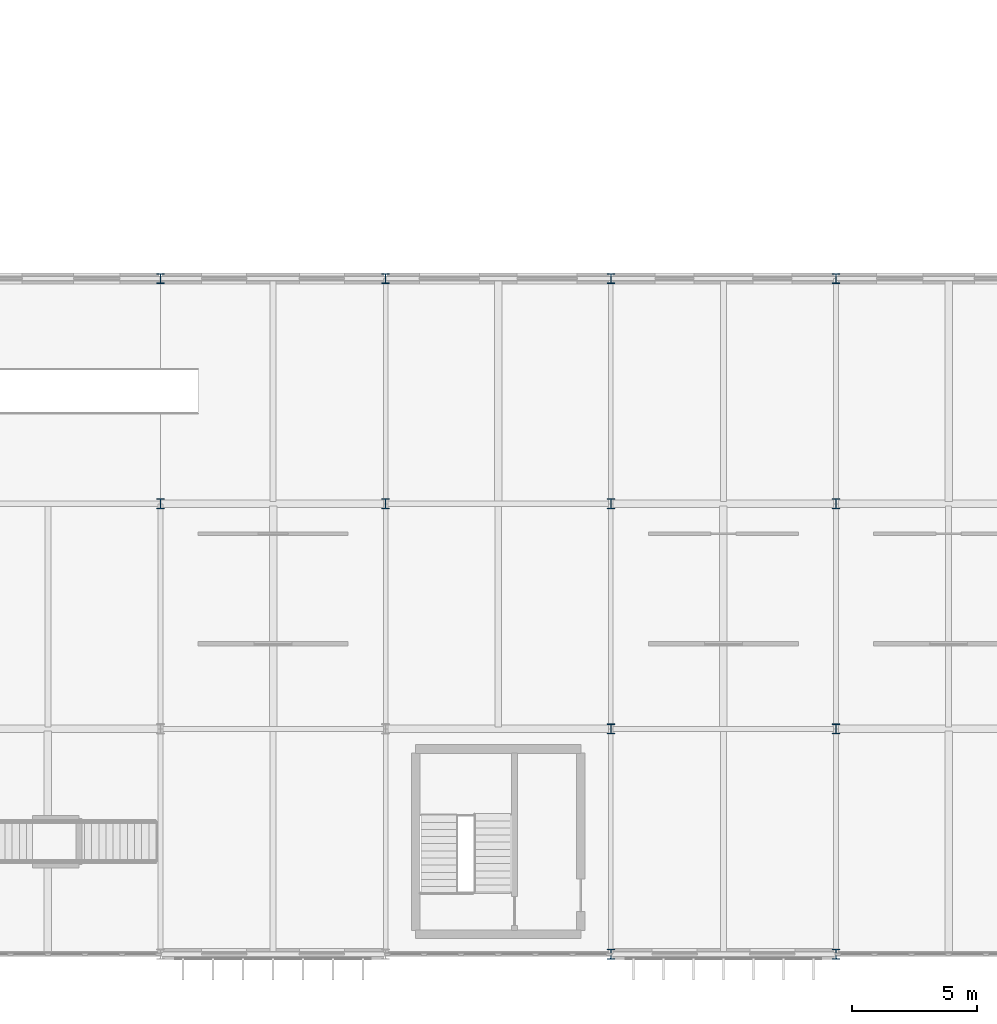
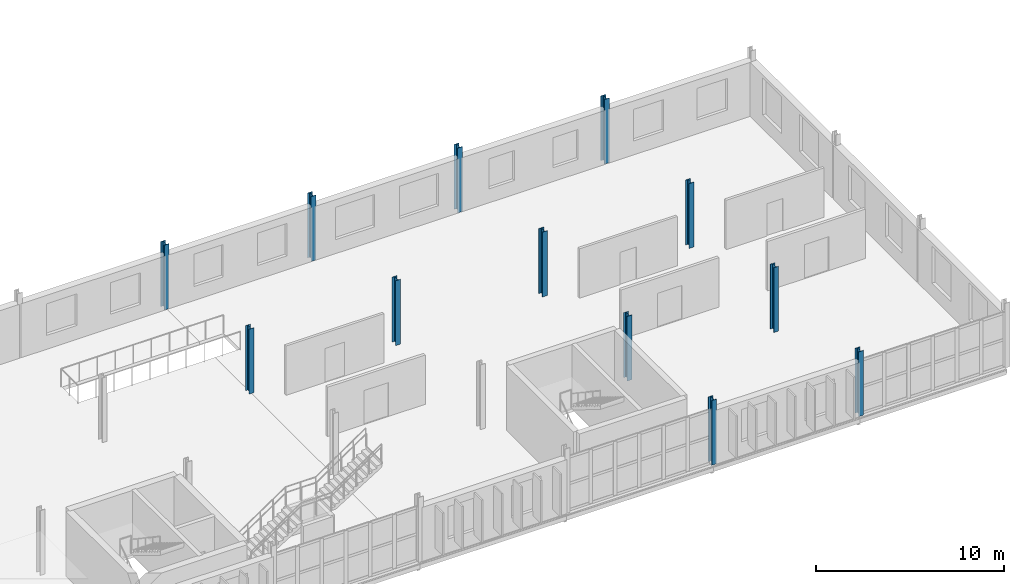
# One storey, part 18 of 161: 12 columns.
"""IFC4 building model written with IfcOpenShell, lengths in metres."""

from ifc_helpers import new_model, si_unit, direction, frame, origin, origin_2d, place, context, subcontext, project, spatial, i_section, extrude, material, material_profile, profile_set, type_object, element, save


model = new_model("IFC4")

# Units and contexts
model_context = context("Model", 3, precision=1e-05, world=origin(), true_north=direction((0.0, 1.0)))
body_context = subcontext(model_context, "Body", "Model", "MODEL_VIEW")
ifc_project = project(units=[si_unit("LENGTHUNIT", "METRE"), si_unit("AREAUNIT", "SQUARE_METRE"), si_unit("VOLUMEUNIT", "CUBIC_METRE"), si_unit("PLANEANGLEUNIT", "RADIAN"), si_unit("MASSUNIT", "GRAM", prefix="KILO")], contexts=[model_context])

# Site, building, storey
site_placement = place(None, origin())
site = spatial("IfcSite", under=ifc_project, at=site_placement, CompositionType="ELEMENT")
building_placement = place(site_placement, origin())
building = spatial("IfcBuilding", under=site, at=building_placement, Name="Kildeholm Park Wholesale Market", CompositionType="ELEMENT")
storey_placement = place(building_placement, frame((0.0, 0.0, 5.39990234375)))
storey = spatial("IfcBuildingStorey", under=building, at=storey_placement, Name="L01", CompositionType="ELEMENT", Elevation=5.39990234375)

# Columns
ifc_material = material(Name="Steel S355", Category="steel")
ifc_material_profile = material_profile(ifc_material, i_section(OverallWidth=0.300048828125, OverallDepth=0.39990234375, WebThickness=0.013427734375, FlangeThickness=0.02392578125, FilletRadius=0.027099609375, at=origin_2d()), Name="HEB 400")
ifc_profile_set = profile_set([ifc_material_profile], Name="Steel S355")
column_type = type_object("IfcColumnType", Name="Column C-S05 HEB 400", PredefinedType="COLUMN", material=ifc_profile_set)
for number, where, z_axis, x_axis, name in (
    (1, (162.0, 18.0, 0.0), (0.0, 0.0, 1.0), (1.0, 0.0, 0.0), "Column V5E-162-018 L01 COL-0822"),
    (2, (162.0, 27.0, 0.0), (0.0, 0.0, 1.0), (1.0, 0.0, 0.0), "Column V5E-162-027 L01 COL-0826"),
    (3, (171.0, 18.0, 0.0), (0.0, 0.0, 1.0), (1.0, 0.0, 0.0), "Column V5E-171-018 L01 COL-0836"),
    (4, (171.0, 27.0, 0.0), (0.0, 0.0, 1.0), (1.0, 0.0, 0.0), "Column V5E-171-027 L01 COL-0840"),
    (5, (180.0, 0.0, 0.0), (0.0, 0.0, 1.0), (1.0, 0.0, 0.0), "Column V5E-180-000 L01 COL-0842"),
    (6, (180.0, 9.0, 0.0), (0.0, 0.0, 1.0), (1.0, 0.0, 0.0), "Column V5E-180-009 L01 COL-0846"),
    (7, (180.0, 18.0, 0.0), (0.0, 0.0, 1.0), (1.0, 0.0, 0.0), "Column V5E-180-018 L01 COL-0850"),
    (8, (180.0, 27.0, 0.0), (0.0, 0.0, 1.0), (1.0, 0.0, 0.0), "Column V5E-180-027 L01 COL-0854"),
    (9, (189.0, 0.0, 0.0), (0.0, 0.0, 1.0), (1.0, 0.0, 0.0), "Column V5E-189-000 L01 COL-0856"),
    (10, (189.0, 9.0, 0.0), (0.0, 0.0, 1.0), (1.0, 0.0, 0.0), "Column V5E-189-009 L01 COL-0860"),
    (11, (189.0, 18.0, 0.0), (0.0, 0.0, 1.0), (1.0, 0.0, 0.0), "Column V5E-189-018 L01 COL-0864"),
    (12, (189.0, 27.0, 0.0), (0.0, 0.0, 1.0), (1.0, 0.0, 0.0), "Column V5E-189-027 L01 COL-0868"),
):
    element("IfcColumn", number, at=place(storey_placement, frame(where, z_axis=z_axis, x_axis=x_axis)), inside=storey, type_object=column_type, Name=name, PredefinedType="COLUMN", context=body_context, shape_type="SweptSolid", body=[
        extrude(i_section(OverallWidth=0.300048828125, OverallDepth=0.39990234375, WebThickness=0.013427734375, FlangeThickness=0.02392578125, FilletRadius=0.027099609375, at=origin_2d()), origin(), (0.0, 0.0, 1.0), 4.2001953125),
    ])

save(model, "model.ifc")
